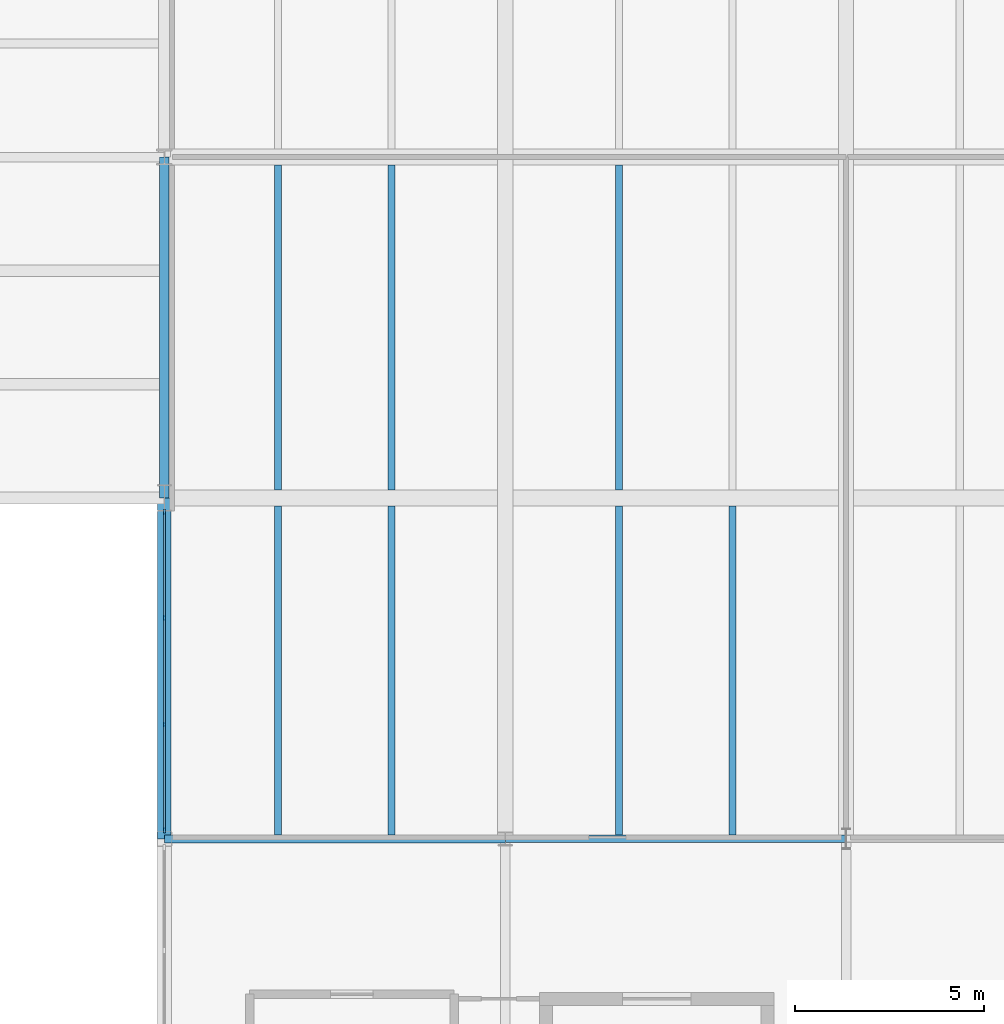
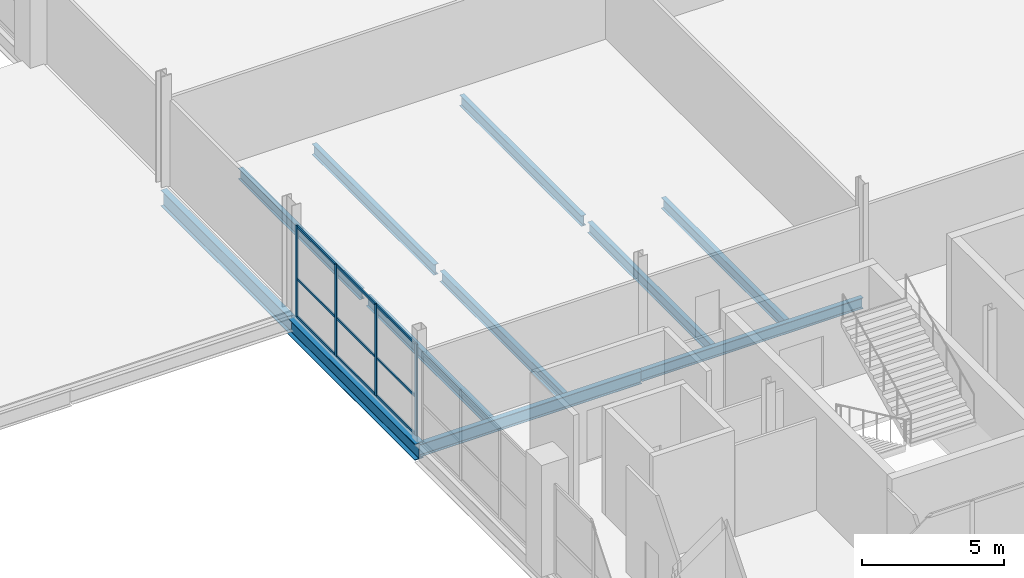
# One storey, part 10 of 50: 13 members, 11 beams, 1 element without a shape of its own.
"""IFC4 building model written with IfcOpenShell, lengths in metres."""

from ifc_helpers import new_model, si_unit, direction, frame, origin, origin_2d, place, context, subcontext, project, spatial, rectangle, i_section, extrude, material, layer, layer_set, material_profile, profile_set, type_object, element, aggregate, save


model = new_model("IFC4")

# Units and contexts
model_context = context("Model", 3, precision=1e-05, world=origin(), true_north=direction((0.0, 1.0)))
body_context = subcontext(model_context, "Body", "Model", "MODEL_VIEW")
ifc_project = project(units=[si_unit("LENGTHUNIT", "METRE"), si_unit("AREAUNIT", "SQUARE_METRE"), si_unit("VOLUMEUNIT", "CUBIC_METRE"), si_unit("PLANEANGLEUNIT", "RADIAN"), si_unit("MASSUNIT", "GRAM", prefix="KILO")], contexts=[model_context])

# Site, building, storey
site_placement = place(None, origin())
site = spatial("IfcSite", under=ifc_project, at=site_placement, CompositionType="ELEMENT")
building_placement = place(site_placement, origin())
building = spatial("IfcBuilding", under=site, at=building_placement, Name="Qamarlyn Nura Convention Centre", CompositionType="ELEMENT")
storey_placement = place(building_placement, frame((0.0, 0.0, 20.39990234375)))
storey = spatial("IfcBuildingStorey", under=building, at=storey_placement, Name="L04", CompositionType="ELEMENT", Elevation=20.39990234375)

# Beams
ifc_material_1 = material(Name="Steel ASTM A992", Category="steel")
ifc_material_profile_1 = material_profile(ifc_material_1, i_section(OverallWidth=0.35498046875, OverallDepth=0.695068359375, WebThickness=0.015380859375, FlangeThickness=0.02490234375, FilletRadius=0.01806640625, at=origin_2d()), Name="W690X217")
ifc_profile_set_1 = profile_set([ifc_material_profile_1], Name="Steel ASTM A992")
beam_type_1 = type_object("IfcBeamType", Name="BM-GIRD-690A", PredefinedType="BEAM", material=ifc_profile_set_1)
beam_1_placement = place(storey_placement, frame((153.0, 18.0, -0.54736328125), z_axis=(0.0, 1.0, 0.0), x_axis=(-1.0, 0.0, 0.0)))
element("IfcBeam", 1, at=beam_1_placement, inside=storey, type_object=beam_type_1, Name="L04 girder 13 C-D", PredefinedType="BEAM", context=body_context, shape_type="SweptSolid", body=[
    extrude(i_section(OverallWidth=0.35498046875, OverallDepth=0.695068359375, WebThickness=0.015380859375, FlangeThickness=0.02490234375, FilletRadius=0.01806640625, at=origin_2d()), origin(), (0.0, 0.0, 1.0), 9.0),
])
ifc_material_profile_2 = material_profile(ifc_material_1, i_section(OverallWidth=0.25390625, OverallDepth=0.68408203125, WebThickness=0.012451171875, FlangeThickness=0.01904296875, FilletRadius=0.01806640625, at=origin_2d()), Name="W690X140")
ifc_profile_set_2 = profile_set([ifc_material_profile_2], Name="Steel ASTM A992")
beam_type_2 = type_object("IfcBeamType", Name="BM-GIRD-690B", PredefinedType="BEAM", material=ifc_profile_set_2)
beam_2_placement = place(storey_placement, frame((153.0, 27.0, -0.5419921875), z_axis=(0.0, 1.0, 0.0), x_axis=(-1.0, 0.0, 0.0)))
element("IfcBeam", 2, at=beam_2_placement, inside=storey, type_object=beam_type_2, Name="L04 girder 13 D-E", PredefinedType="BEAM", context=body_context, shape_type="SweptSolid", body=[
    extrude(i_section(OverallWidth=0.25390625, OverallDepth=0.68408203125, WebThickness=0.012451171875, FlangeThickness=0.01904296875, FilletRadius=0.01806640625, at=origin_2d()), origin(), (0.0, 0.0, 1.0), 9.0),
])
ifc_material_profile_3 = material_profile(ifc_material_1, i_section(OverallWidth=0.18994140625, OverallDepth=0.45703125, WebThickness=0.009033203125, FlangeThickness=0.014404296875, FilletRadius=0.012939453125, at=origin_2d()), Name="W460X74")
ifc_profile_set_3 = profile_set([ifc_material_profile_3], Name="Steel ASTM A992")
beam_type_3 = type_object("IfcBeamType", Name="BM-JOIST-460", PredefinedType="JOIST", material=ifc_profile_set_3)
for number, where, z_axis, x_axis, name in (
    (3, (156.0, 18.10546875, -0.428466796875), (0.0, 1.0, 0.0), (-1.0, 0.0, 0.0), "L04 secondary joist 13-14/C-D-08"),
    (4, (159.0, 18.10546875, -0.428466796875), (0.0, 1.0, 0.0), (-1.0, 0.0, 0.0), "L04 secondary joist 13-14/C-D-09"),
):
    element("IfcBeam", number, at=place(storey_placement, frame(where, z_axis=z_axis, x_axis=x_axis)), inside=storey, type_object=beam_type_3, Name=name, PredefinedType="JOIST", context=body_context, shape_type="SweptSolid", body=[
        extrude(i_section(OverallWidth=0.18994140625, OverallDepth=0.45703125, WebThickness=0.009033203125, FlangeThickness=0.014404296875, FilletRadius=0.012939453125, at=origin_2d()), origin(), (0.0, 0.0, 1.0), 8.685546875),
    ])
for number, where, z_axis, x_axis, name in (
    (5, (156.0, 27.208984375, -0.428466796875), (0.0, 1.0, 0.0), (-1.0, 0.0, 0.0), "L04 secondary joist 13-14/D-E-10"),
    (6, (159.0, 27.208984375, -0.428466796875), (0.0, 1.0, 0.0), (-1.0, 0.0, 0.0), "L04 secondary joist 13-14/D-E-11"),
):
    element("IfcBeam", number, at=place(storey_placement, frame(where, z_axis=z_axis, x_axis=x_axis)), inside=storey, type_object=beam_type_3, Name=name, PredefinedType="JOIST", context=body_context, shape_type="SweptSolid", body=[
        extrude(i_section(OverallWidth=0.18994140625, OverallDepth=0.45703125, WebThickness=0.009033203125, FlangeThickness=0.014404296875, FilletRadius=0.012939453125, at=origin_2d()), origin(), (0.0, 0.0, 1.0), 8.58203125),
    ])
for number, where, z_axis, x_axis, name in (
    (7, (165.0, 18.096435546875, -0.428466796875), (0.0, 1.0, 0.0), (-1.0, 0.0, 0.0), "L04 secondary joist 14-15/C-D-24"),
    (8, (168.0, 18.096435546875, -0.428466796875), (0.0, 1.0, 0.0), (-1.0, 0.0, 0.0), "L04 secondary joist 14-15/C-D-25"),
):
    element("IfcBeam", number, at=place(storey_placement, frame(where, z_axis=z_axis, x_axis=x_axis)), inside=storey, type_object=beam_type_3, Name=name, PredefinedType="JOIST", context=body_context, shape_type="SweptSolid", body=[
        extrude(i_section(OverallWidth=0.18994140625, OverallDepth=0.45703125, WebThickness=0.009033203125, FlangeThickness=0.014404296875, FilletRadius=0.012939453125, at=origin_2d()), origin(), (0.0, 0.0, 1.0), 8.694580078125),
    ])
beam_3_placement = place(storey_placement, frame((165.0, 27.208984375, -0.428466796875), z_axis=(0.0, 1.0, 0.0), x_axis=(-1.0, 0.0, 0.0)))
element("IfcBeam", 9, at=beam_3_placement, inside=storey, type_object=beam_type_3, Name="L04 secondary joist 14-15/D-E-26", PredefinedType="JOIST", context=body_context, shape_type="SweptSolid", body=[
    extrude(i_section(OverallWidth=0.18994140625, OverallDepth=0.45703125, WebThickness=0.009033203125, FlangeThickness=0.014404296875, FilletRadius=0.012939453125, at=origin_2d()), origin(), (0.0, 0.0, 1.0), 8.58203125),
])
ifc_material_profile_4 = material_profile(ifc_material_1, i_section(OverallWidth=0.193115234375, OverallDepth=0.466064453125, WebThickness=0.011474609375, FlangeThickness=0.01904296875, FilletRadius=0.012939453125, at=origin_2d()), Name="W460X97")
ifc_profile_set_4 = profile_set([ifc_material_profile_4], Name="Steel ASTM A992")
beam_type_4 = type_object("IfcBeamType", Name="BM-SPAN-460", PredefinedType="SPANDREL", material=ifc_profile_set_4)
beam_4_placement = place(storey_placement, frame((162.0, 18.0, -0.432861328125), z_axis=(1.0, 0.0, 0.0), x_axis=(0.0, 1.0, 0.0)))
element("IfcBeam", 10, at=beam_4_placement, inside=storey, type_object=beam_type_4, Name="L04 girder C 14-15", PredefinedType="SPANDREL", context=body_context, shape_type="SweptSolid", body=[
    extrude(i_section(OverallWidth=0.193115234375, OverallDepth=0.466064453125, WebThickness=0.011474609375, FlangeThickness=0.01904296875, FilletRadius=0.012939453125, at=origin_2d()), origin(), (0.0, 0.0, 1.0), 9.0),
])
ifc_material_profile_5 = material_profile(ifc_material_1, i_section(OverallWidth=0.2109375, OverallDepth=0.5390625, WebThickness=0.01171875, FlangeThickness=0.018798828125, FilletRadius=0.013916015625, at=origin_2d()), Name="W530X109")
ifc_profile_set_5 = profile_set([ifc_material_profile_5], Name="Steel ASTM A992")
beam_type_5 = type_object("IfcBeamType", Name="BM-SPAN-530", PredefinedType="SPANDREL", material=ifc_profile_set_5)
beam_5_placement = place(storey_placement, frame((153.0, 18.0, -0.469482421875), z_axis=(1.0, 0.0, 0.0), x_axis=(0.0, 1.0, 0.0)))
element("IfcBeam", 11, at=beam_5_placement, inside=storey, type_object=beam_type_5, Name="L04 girder C 13-14", PredefinedType="SPANDREL", context=body_context, shape_type="SweptSolid", body=[
    extrude(i_section(OverallWidth=0.2109375, OverallDepth=0.5390625, WebThickness=0.01171875, FlangeThickness=0.018798828125, FilletRadius=0.013916015625, at=origin_2d()), origin(), (0.0, 0.0, 1.0), 9.0),
])

# Curtain wall, members
ifc_material_2 = material(Name="Double-silver low-E insulated glass", Category="glass")
ifc_layer = layer(ifc_material_2, 0.179931640625, Name="CW-UNIT-146")
ifc_layer_set = layer_set([ifc_layer], Name="Double-silver low-E insulated glass")
curtain_wall_type = type_object("IfcCurtainWallType", Name="CW-UNIT-146", PredefinedType="NOTDEFINED", material=ifc_layer_set)
curtain_wall_placement = place(storey_placement, origin())
curtain_wall = element("IfcCurtainWall", 12, at=curtain_wall_placement, inside=storey, type_object=curtain_wall_type, Name="L04 unitised curtain wall FCW-18-1", PredefinedType="NOTDEFINED")
ifc_material_3 = material(Name="Champagne-anodised marine aluminium", Category="aluminium")
ifc_material_profile_6 = material_profile(ifc_material_3, rectangle(XDim=0.06005859375, YDim=0.139892578125, at=origin_2d()), Name="ALU MULLION 60x140")
ifc_profile_set_6 = profile_set([ifc_material_profile_6], Name="Champagne-anodised marine aluminium")
member_type_1 = type_object("IfcMemberType", Name="CWM-140", PredefinedType="MULLION", material=ifc_profile_set_6)
member_1_placement = place(storey_placement, frame((153.0, 18.22998046875, 0.0), z_axis=(0.0, 0.0, 1.0), x_axis=(-1.0, 0.0, 0.0)))
member_1 = element("IfcMember", 13, at=member_1_placement, type_object=member_type_1, Name="CW146 mullion 1", PredefinedType="MULLION", context=body_context, shape_type="SweptSolid", body=[
    extrude(rectangle(XDim=0.06005859375, YDim=0.139892578125, at=origin_2d()), origin(), (0.0, 0.0, 1.0), 3.93408203125),
])
member_2_placement = place(storey_placement, frame((153.0, 21.017578125, 0.0), z_axis=(0.0, 0.0, 1.0), x_axis=(-1.0, 0.0, 0.0)))
member_2 = element("IfcMember", 14, at=member_2_placement, type_object=member_type_1, Name="CW146 mullion 2", PredefinedType="MULLION", context=body_context, shape_type="SweptSolid", body=[
    extrude(rectangle(XDim=0.06005859375, YDim=0.139892578125, at=origin_2d()), origin(), (0.0, 0.0, 1.0), 3.93408203125),
])
member_3_placement = place(storey_placement, frame((153.0, 23.8349609375, 0.0), z_axis=(0.0, 0.0, 1.0), x_axis=(-1.0, 0.0, 0.0)))
member_3 = element("IfcMember", 15, at=member_3_placement, type_object=member_type_1, Name="CW146 mullion 3", PredefinedType="MULLION", context=body_context, shape_type="SweptSolid", body=[
    extrude(rectangle(XDim=0.06005859375, YDim=0.139892578125, at=origin_2d()), origin(), (0.0, 0.0, 1.0), 3.93408203125),
])
member_4_placement = place(storey_placement, frame((153.0, 26.62255859375, 0.0), z_axis=(0.0, 0.0, 1.0), x_axis=(-1.0, 0.0, 0.0)))
member_4 = element("IfcMember", 16, at=member_4_placement, type_object=member_type_1, Name="CW146 mullion 4", PredefinedType="MULLION", context=body_context, shape_type="SweptSolid", body=[
    extrude(rectangle(XDim=0.06005859375, YDim=0.139892578125, at=origin_2d()), origin(), (0.0, 0.0, 1.0), 3.93408203125),
])
ifc_material_profile_7 = material_profile(ifc_material_3, rectangle(XDim=0.06005859375, YDim=0.10009765625, at=origin_2d()), Name="ALU TRANSOM 60x100")
ifc_profile_set_7 = profile_set([ifc_material_profile_7], Name="Champagne-anodised marine aluminium")
member_type_2 = type_object("IfcMemberType", Name="CWT-100", PredefinedType="USERDEFINED", material=ifc_profile_set_7)
member_5_placement = place(storey_placement, frame((153.0, 18.260009765625, 0.030029296875), z_axis=(0.0, 1.0, 0.0), x_axis=(-1.0, 0.0, 0.0)))
member_5 = element("IfcMember", 17, at=member_5_placement, type_object=member_type_2, Name="CW146 transom 1.1", ObjectType="TRANSOM", PredefinedType="USERDEFINED", context=body_context, shape_type="SweptSolid", body=[
    extrude(rectangle(XDim=0.06005859375, YDim=0.10009765625, at=origin_2d()), origin(), (0.0, 0.0, 1.0), 2.7275390625),
])
member_6_placement = place(storey_placement, frame((153.0, 18.260009765625, 1.652099609375), z_axis=(0.0, 1.0, 0.0), x_axis=(-1.0, 0.0, 0.0)))
member_6 = element("IfcMember", 18, at=member_6_placement, type_object=member_type_2, Name="CW146 transom 1.2", ObjectType="TRANSOM", PredefinedType="USERDEFINED", context=body_context, shape_type="SweptSolid", body=[
    extrude(rectangle(XDim=0.06005859375, YDim=0.10009765625, at=origin_2d()), origin(), (0.0, 0.0, 1.0), 2.7275390625),
])
member_7_placement = place(storey_placement, frame((153.0, 18.260009765625, 3.904052734375), z_axis=(0.0, 1.0, 0.0), x_axis=(-1.0, 0.0, 0.0)))
member_7 = element("IfcMember", 19, at=member_7_placement, type_object=member_type_2, Name="CW146 transom 1.3", ObjectType="TRANSOM", PredefinedType="USERDEFINED", context=body_context, shape_type="SweptSolid", body=[
    extrude(rectangle(XDim=0.06005859375, YDim=0.10009765625, at=origin_2d()), origin(), (0.0, 0.0, 1.0), 2.7275390625),
])
member_8_placement = place(storey_placement, frame((153.0, 21.047607421875, 0.030029296875), z_axis=(0.0, 1.0, 0.0), x_axis=(-1.0, 0.0, 0.0)))
member_8 = element("IfcMember", 20, at=member_8_placement, type_object=member_type_2, Name="CW146 transom 2.1", ObjectType="TRANSOM", PredefinedType="USERDEFINED", context=body_context, shape_type="SweptSolid", body=[
    extrude(rectangle(XDim=0.06005859375, YDim=0.10009765625, at=origin_2d()), origin(), (0.0, 0.0, 1.0), 2.75732421875),
])
member_9_placement = place(storey_placement, frame((153.0, 21.047607421875, 1.652099609375), z_axis=(0.0, 1.0, 0.0), x_axis=(-1.0, 0.0, 0.0)))
member_9 = element("IfcMember", 21, at=member_9_placement, type_object=member_type_2, Name="CW146 transom 2.2", ObjectType="TRANSOM", PredefinedType="USERDEFINED", context=body_context, shape_type="SweptSolid", body=[
    extrude(rectangle(XDim=0.06005859375, YDim=0.10009765625, at=origin_2d()), origin(), (0.0, 0.0, 1.0), 2.75732421875),
])
member_10_placement = place(storey_placement, frame((153.0, 21.047607421875, 3.904052734375), z_axis=(0.0, 1.0, 0.0), x_axis=(-1.0, 0.0, 0.0)))
member_10 = element("IfcMember", 22, at=member_10_placement, type_object=member_type_2, Name="CW146 transom 2.3", ObjectType="TRANSOM", PredefinedType="USERDEFINED", context=body_context, shape_type="SweptSolid", body=[
    extrude(rectangle(XDim=0.06005859375, YDim=0.10009765625, at=origin_2d()), origin(), (0.0, 0.0, 1.0), 2.75732421875),
])
member_11_placement = place(storey_placement, frame((153.0, 23.864990234375, 0.030029296875), z_axis=(0.0, 1.0, 0.0), x_axis=(-1.0, 0.0, 0.0)))
member_11 = element("IfcMember", 23, at=member_11_placement, type_object=member_type_2, Name="CW146 transom 3.1", ObjectType="TRANSOM", PredefinedType="USERDEFINED", context=body_context, shape_type="SweptSolid", body=[
    extrude(rectangle(XDim=0.06005859375, YDim=0.10009765625, at=origin_2d()), origin(), (0.0, 0.0, 1.0), 2.7275390625),
])
member_12_placement = place(storey_placement, frame((153.0, 23.864990234375, 1.652099609375), z_axis=(0.0, 1.0, 0.0), x_axis=(-1.0, 0.0, 0.0)))
member_12 = element("IfcMember", 24, at=member_12_placement, type_object=member_type_2, Name="CW146 transom 3.2", ObjectType="TRANSOM", PredefinedType="USERDEFINED", context=body_context, shape_type="SweptSolid", body=[
    extrude(rectangle(XDim=0.06005859375, YDim=0.10009765625, at=origin_2d()), origin(), (0.0, 0.0, 1.0), 2.7275390625),
])
member_13_placement = place(storey_placement, frame((153.0, 23.864990234375, 3.904052734375), z_axis=(0.0, 1.0, 0.0), x_axis=(-1.0, 0.0, 0.0)))
member_13 = element("IfcMember", 25, at=member_13_placement, type_object=member_type_2, Name="CW146 transom 3.3", ObjectType="TRANSOM", PredefinedType="USERDEFINED", context=body_context, shape_type="SweptSolid", body=[
    extrude(rectangle(XDim=0.06005859375, YDim=0.10009765625, at=origin_2d()), origin(), (0.0, 0.0, 1.0), 2.7275390625),
])
aggregate(curtain_wall, [member_1, member_2, member_3, member_4, member_5, member_6, member_7, member_8, member_9, member_10, member_11, member_12, member_13])

save(model, "model.ifc")
